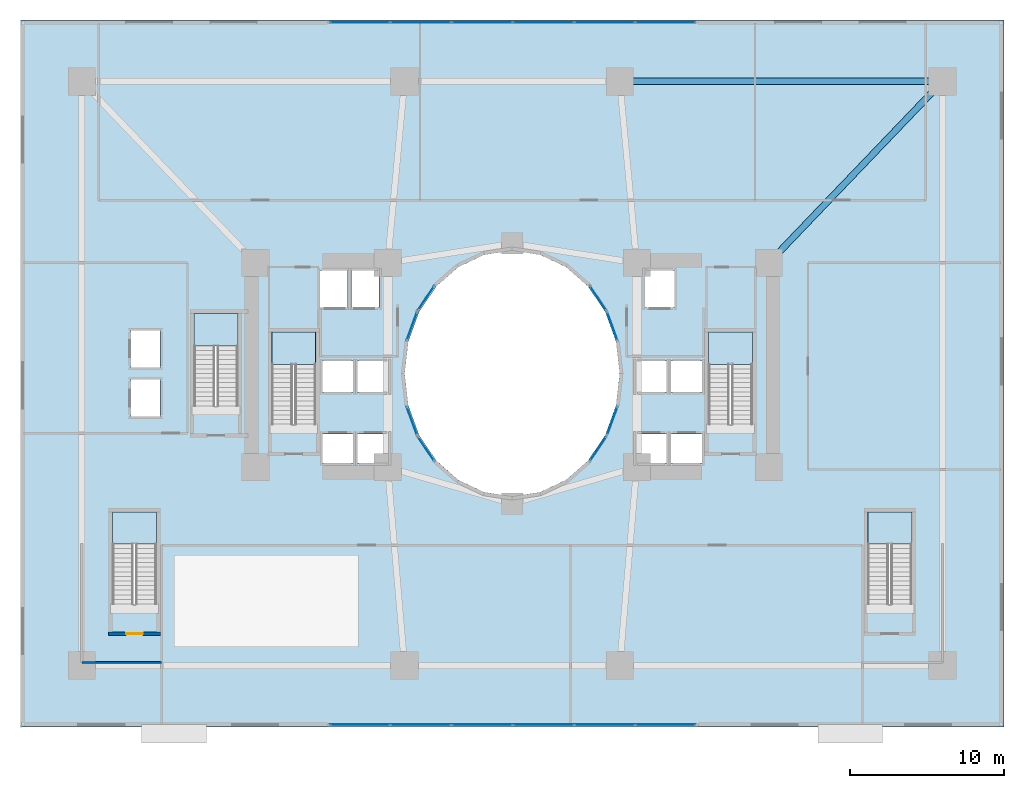
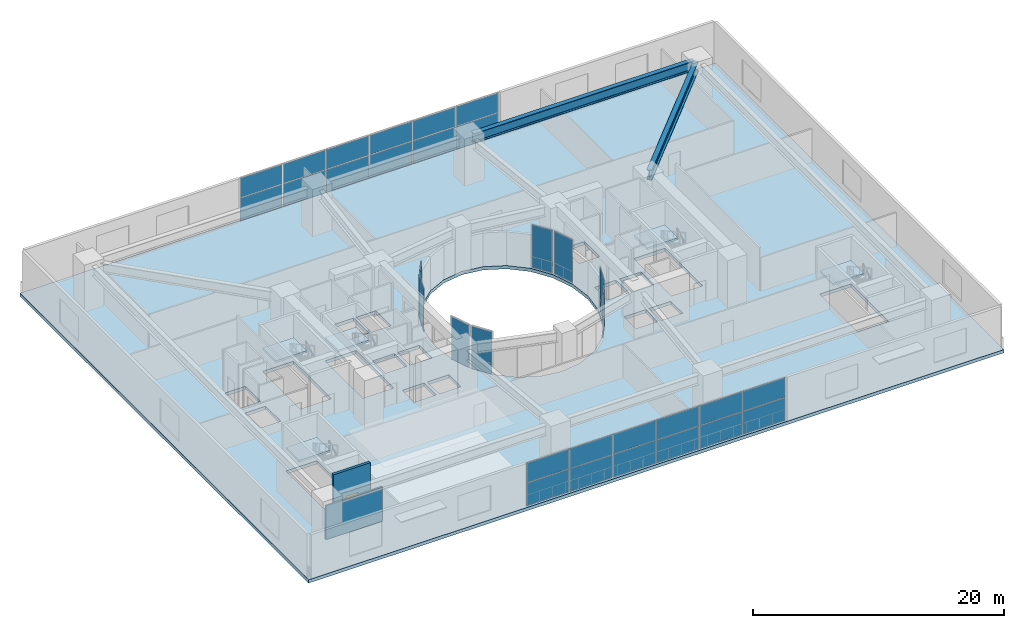
# One storey, part 14 of 25: 32 plates, 6 slabs, 2 beams, 2 walls, 1 door, 1 opening, 15 elements without a shape of their own.
"""IFC4 building model written with IfcOpenShell, lengths in metres."""

from ifc_helpers import new_model, si_unit, direction, frame, frame_2d, origin, origin_2d, place, context, subcontext, project, spatial, polyline, rectangle, i_section, outline, extrude, material, layer, layer_set, material_profile, profile_set, type_object, element, fill, aggregate, save


model = new_model("IFC4")

# Units and contexts
model_context = context("Model", 3, precision=1e-05, world=origin(), true_north=direction((0.0, 1.0)))
body_context = subcontext(model_context, "Body", "Model", "MODEL_VIEW")
ifc_project = project(units=[si_unit("LENGTHUNIT", "METRE"), si_unit("AREAUNIT", "SQUARE_METRE"), si_unit("VOLUMEUNIT", "CUBIC_METRE"), si_unit("PLANEANGLEUNIT", "RADIAN"), si_unit("MASSUNIT", "GRAM", prefix="KILO")], contexts=[model_context])

# Site, building, storey
site_placement = place(None, origin())
site = spatial("IfcSite", under=ifc_project, at=site_placement, CompositionType="ELEMENT")
building_placement = place(site_placement, origin())
building = spatial("IfcBuilding", under=site, at=building_placement, Name="Solvane Sanctuary Tower", CompositionType="ELEMENT")
storey_placement = place(building_placement, frame((0.0, 0.0, 4.60009765625)))
storey = spatial("IfcBuildingStorey", under=building, at=storey_placement, Name="L02", CompositionType="ELEMENT", Elevation=4.60009765625)

# Beams
ifc_material_1 = material(Name="Steel ASTM A913 Grade 65", Category="steel")
ifc_material_profile = material_profile(ifc_material_1, i_section(OverallWidth=0.423095703125, OverallDepth=0.947998046875, WebThickness=0.02392578125, FlangeThickness=0.042724609375, FilletRadius=0.02392578125, at=origin_2d()), Name="W36X302")
ifc_profile_set = profile_set([ifc_material_profile], Name="Steel ASTM A913 Grade 65")
beam_type = type_object("IfcBeamType", Name="Beam B-POD-GIRD W36X302", PredefinedType="BEAM", material=ifc_profile_set)
beam_1_placement = place(storey_placement, frame((59.64990234375, 42.0, 3.803955078125), z_axis=(-1.0, 0.0, 0.0), x_axis=(0.0, -1.0, 0.0)))
element("IfcBeam", 1, at=beam_1_placement, inside=storey, type_object=beam_type, Name="L02 Podium Primary Girder PG5", PredefinedType="BEAM", context=body_context, shape_type="SweptSolid", body=[
    extrude(i_section(OverallWidth=0.423095703125, OverallDepth=0.947998046875, WebThickness=0.02392578125, FlangeThickness=0.042724609375, FilletRadius=0.02392578125, at=origin_2d()), origin(), (0.0, 0.0, 1.0), 20.2998046875),
])
beam_2_placement = place(storey_placement, frame((59.7578125, 41.747314453125, 3.803955078125), z_axis=(-0.691633366234, -0.722248770654, 0.0), x_axis=(0.722248770654, -0.691633366234, 0.0)))
element("IfcBeam", 2, at=beam_2_placement, inside=storey, type_object=beam_type, Name="L02 Podium Primary Girder PG16", PredefinedType="BEAM", context=body_context, shape_type="SweptSolid", body=[
    extrude(i_section(OverallWidth=0.423095703125, OverallDepth=0.947998046875, WebThickness=0.02392578125, FlangeThickness=0.042724609375, FilletRadius=0.02392578125, at=origin_2d()), origin(), (0.0, 0.0, 1.0), 15.637939453125),
])

# Curtain wall, plates
ifc_material_2 = material(Name="Anodised Aluminium 6063-T6", Category="aluminium")
ifc_layer_1 = layer(ifc_material_2, 0.159912109375, Name="Anodised Aluminium 6063-T6")
ifc_layer_set_1 = layer_set([ifc_layer_1], Name="Anodised Aluminium 6063-T6")
curtain_wall_type_1 = type_object("IfcCurtainWallType", Name="Curtain Wall CW-POD", PredefinedType="NOTDEFINED", material=ifc_layer_set_1)
curtain_wall_1_placement = place(storey_placement, origin())
curtain_wall_1 = element("IfcCurtainWall", 3, at=curtain_wall_1_placement, inside=storey, type_object=curtain_wall_type_1, Name="L02 Sanctuary Curtain Wall S2", PredefinedType="NOTDEFINED")
ifc_material_3 = material(Name="Dark Ceramic-Fritted Low-E Glass", Category="glass")
ifc_layer_2 = layer(ifc_material_3, 0.031982421875, Name="Dark Ceramic-Fritted Low-E Glass")
ifc_layer_set_2 = layer_set([ifc_layer_2], Name="Dark Ceramic-Fritted Low-E Glass")
plate_type_1 = type_object("IfcPlateType", Name="Plate PN-FRIT-VIS", PredefinedType="CURTAIN_PANEL", material=ifc_layer_set_2)
plate_1_placement = place(storey_placement, frame((22.092041015625, 0.14990234375, 0.06494140625), z_axis=(0.0, 0.0, 1.0), x_axis=(1.0, 0.0, 0.0)))
plate_1 = element("IfcPlate", 4, at=plate_1_placement, type_object=plate_type_1, Name="CW-POD panel 1.1", PredefinedType="CURTAIN_PANEL", context=body_context, shape_type="SweptSolid", body=[
    extrude(rectangle(XDim=3.874267578125, YDim=0.031982421875, at=origin_2d()), origin(), (0.0, 0.0, 1.0), 2.202392578125),
])
plate_2_placement = place(storey_placement, frame((22.092041015625, 0.14990234375, 2.33251953125), z_axis=(0.0, 0.0, 1.0), x_axis=(1.0, 0.0, 0.0)))
plate_2 = element("IfcPlate", 5, at=plate_2_placement, type_object=plate_type_1, Name="CW-POD panel 1.2", PredefinedType="CURTAIN_PANEL", context=body_context, shape_type="SweptSolid", body=[
    extrude(rectangle(XDim=3.874267578125, YDim=0.031982421875, at=origin_2d()), origin(), (0.0, 0.0, 1.0), 1.882568359375),
])
plate_3_placement = place(storey_placement, frame((26.06005859375, 0.14990234375, 0.06494140625), z_axis=(0.0, 0.0, 1.0), x_axis=(1.0, 0.0, 0.0)))
plate_3 = element("IfcPlate", 6, at=plate_3_placement, type_object=plate_type_1, Name="CW-POD panel 2.1", PredefinedType="CURTAIN_PANEL", context=body_context, shape_type="SweptSolid", body=[
    extrude(rectangle(XDim=3.91162109375, YDim=0.031982421875, at=origin_2d()), origin(), (0.0, 0.0, 1.0), 2.202392578125),
])
plate_4_placement = place(storey_placement, frame((26.06005859375, 0.14990234375, 2.33251953125), z_axis=(0.0, 0.0, 1.0), x_axis=(1.0, 0.0, 0.0)))
plate_4 = element("IfcPlate", 7, at=plate_4_placement, type_object=plate_type_1, Name="CW-POD panel 2.2", PredefinedType="CURTAIN_PANEL", context=body_context, shape_type="SweptSolid", body=[
    extrude(rectangle(XDim=3.91162109375, YDim=0.031982421875, at=origin_2d()), origin(), (0.0, 0.0, 1.0), 1.882568359375),
])
plate_5_placement = place(storey_placement, frame((30.046630859375, 0.14990234375, 0.06494140625), z_axis=(0.0, 0.0, 1.0), x_axis=(1.0, 0.0, 0.0)))
plate_5 = element("IfcPlate", 8, at=plate_5_placement, type_object=plate_type_1, Name="CW-POD panel 3.1", PredefinedType="CURTAIN_PANEL", context=body_context, shape_type="SweptSolid", body=[
    extrude(rectangle(XDim=3.91162109375, YDim=0.031982421875, at=origin_2d()), origin(), (0.0, 0.0, 1.0), 2.202392578125),
])
plate_6_placement = place(storey_placement, frame((30.046630859375, 0.14990234375, 2.33251953125), z_axis=(0.0, 0.0, 1.0), x_axis=(1.0, 0.0, 0.0)))
plate_6 = element("IfcPlate", 9, at=plate_6_placement, type_object=plate_type_1, Name="CW-POD panel 3.2", PredefinedType="CURTAIN_PANEL", context=body_context, shape_type="SweptSolid", body=[
    extrude(rectangle(XDim=3.91162109375, YDim=0.031982421875, at=origin_2d()), origin(), (0.0, 0.0, 1.0), 1.882568359375),
])
plate_7_placement = place(storey_placement, frame((34.033447265625, 0.14990234375, 0.06494140625), z_axis=(0.0, 0.0, 1.0), x_axis=(1.0, 0.0, 0.0)))
plate_7 = element("IfcPlate", 10, at=plate_7_placement, type_object=plate_type_1, Name="CW-POD panel 4.1", PredefinedType="CURTAIN_PANEL", context=body_context, shape_type="SweptSolid", body=[
    extrude(rectangle(XDim=3.91162109375, YDim=0.031982421875, at=origin_2d()), origin(), (0.0, 0.0, 1.0), 2.202392578125),
])
plate_8_placement = place(storey_placement, frame((34.033447265625, 0.14990234375, 2.33251953125), z_axis=(0.0, 0.0, 1.0), x_axis=(1.0, 0.0, 0.0)))
plate_8 = element("IfcPlate", 11, at=plate_8_placement, type_object=plate_type_1, Name="CW-POD panel 4.2", PredefinedType="CURTAIN_PANEL", context=body_context, shape_type="SweptSolid", body=[
    extrude(rectangle(XDim=3.91162109375, YDim=0.031982421875, at=origin_2d()), origin(), (0.0, 0.0, 1.0), 1.882568359375),
])
plate_9_placement = place(storey_placement, frame((38.02001953125, 0.14990234375, 0.06494140625), z_axis=(0.0, 0.0, 1.0), x_axis=(1.0, 0.0, 0.0)))
plate_9 = element("IfcPlate", 12, at=plate_9_placement, type_object=plate_type_1, Name="CW-POD panel 5.1", PredefinedType="CURTAIN_PANEL", context=body_context, shape_type="SweptSolid", body=[
    extrude(rectangle(XDim=3.91162109375, YDim=0.031982421875, at=origin_2d()), origin(), (0.0, 0.0, 1.0), 2.202392578125),
])
plate_10_placement = place(storey_placement, frame((38.02001953125, 0.14990234375, 2.33251953125), z_axis=(0.0, 0.0, 1.0), x_axis=(1.0, 0.0, 0.0)))
plate_10 = element("IfcPlate", 13, at=plate_10_placement, type_object=plate_type_1, Name="CW-POD panel 5.2", PredefinedType="CURTAIN_PANEL", context=body_context, shape_type="SweptSolid", body=[
    extrude(rectangle(XDim=3.91162109375, YDim=0.031982421875, at=origin_2d()), origin(), (0.0, 0.0, 1.0), 1.882568359375),
])
plate_11_placement = place(storey_placement, frame((41.988037109375, 0.14990234375, 0.06494140625), z_axis=(0.0, 0.0, 1.0), x_axis=(1.0, 0.0, 0.0)))
plate_11 = element("IfcPlate", 14, at=plate_11_placement, type_object=plate_type_1, Name="CW-POD panel 6.1", PredefinedType="CURTAIN_PANEL", context=body_context, shape_type="SweptSolid", body=[
    extrude(rectangle(XDim=3.874267578125, YDim=0.031982421875, at=origin_2d()), origin(), (0.0, 0.0, 1.0), 2.202392578125),
])
plate_12_placement = place(storey_placement, frame((41.988037109375, 0.14990234375, 2.33251953125), z_axis=(0.0, 0.0, 1.0), x_axis=(1.0, 0.0, 0.0)))
plate_12 = element("IfcPlate", 15, at=plate_12_placement, type_object=plate_type_1, Name="CW-POD panel 6.2", PredefinedType="CURTAIN_PANEL", context=body_context, shape_type="SweptSolid", body=[
    extrude(rectangle(XDim=3.874267578125, YDim=0.031982421875, at=origin_2d()), origin(), (0.0, 0.0, 1.0), 1.882568359375),
])
aggregate(curtain_wall_1, [plate_1, plate_2, plate_3, plate_4, plate_5, plate_6, plate_7, plate_8, plate_9, plate_10, plate_11, plate_12])

curtain_wall_2_placement = place(storey_placement, origin())
curtain_wall_2 = element("IfcCurtainWall", 16, at=curtain_wall_2_placement, inside=storey, type_object=curtain_wall_type_1, Name="L02 Sanctuary Curtain Wall N2", PredefinedType="NOTDEFINED")
plate_13_placement = place(storey_placement, frame((41.988037109375, 45.85009765625, 0.06494140625), z_axis=(0.0, 0.0, 1.0), x_axis=(-1.0, 0.0, 0.0)))
plate_13 = element("IfcPlate", 17, at=plate_13_placement, type_object=plate_type_1, Name="CW-POD panel 1.1", PredefinedType="CURTAIN_PANEL", context=body_context, shape_type="SweptSolid", body=[
    extrude(rectangle(XDim=3.874267578125, YDim=0.031982421875, at=origin_2d()), origin(), (0.0, 0.0, 1.0), 2.202392578125),
])
plate_14_placement = place(storey_placement, frame((41.988037109375, 45.85009765625, 2.33251953125), z_axis=(0.0, 0.0, 1.0), x_axis=(-1.0, 0.0, 0.0)))
plate_14 = element("IfcPlate", 18, at=plate_14_placement, type_object=plate_type_1, Name="CW-POD panel 1.2", PredefinedType="CURTAIN_PANEL", context=body_context, shape_type="SweptSolid", body=[
    extrude(rectangle(XDim=3.874267578125, YDim=0.031982421875, at=origin_2d()), origin(), (0.0, 0.0, 1.0), 1.882568359375),
])
plate_15_placement = place(storey_placement, frame((38.02001953125, 45.85009765625, 0.06494140625), z_axis=(0.0, 0.0, 1.0), x_axis=(-1.0, 0.0, 0.0)))
plate_15 = element("IfcPlate", 19, at=plate_15_placement, type_object=plate_type_1, Name="CW-POD panel 2.1", PredefinedType="CURTAIN_PANEL", context=body_context, shape_type="SweptSolid", body=[
    extrude(rectangle(XDim=3.91162109375, YDim=0.031982421875, at=origin_2d()), origin(), (0.0, 0.0, 1.0), 2.202392578125),
])
plate_16_placement = place(storey_placement, frame((38.02001953125, 45.85009765625, 2.33251953125), z_axis=(0.0, 0.0, 1.0), x_axis=(-1.0, 0.0, 0.0)))
plate_16 = element("IfcPlate", 20, at=plate_16_placement, type_object=plate_type_1, Name="CW-POD panel 2.2", PredefinedType="CURTAIN_PANEL", context=body_context, shape_type="SweptSolid", body=[
    extrude(rectangle(XDim=3.91162109375, YDim=0.031982421875, at=origin_2d()), origin(), (0.0, 0.0, 1.0), 1.882568359375),
])
plate_17_placement = place(storey_placement, frame((34.033447265625, 45.85009765625, 0.06494140625), z_axis=(0.0, 0.0, 1.0), x_axis=(-1.0, 0.0, 0.0)))
plate_17 = element("IfcPlate", 21, at=plate_17_placement, type_object=plate_type_1, Name="CW-POD panel 3.1", PredefinedType="CURTAIN_PANEL", context=body_context, shape_type="SweptSolid", body=[
    extrude(rectangle(XDim=3.91162109375, YDim=0.031982421875, at=origin_2d()), origin(), (0.0, 0.0, 1.0), 2.202392578125),
])
plate_18_placement = place(storey_placement, frame((34.033447265625, 45.85009765625, 2.33251953125), z_axis=(0.0, 0.0, 1.0), x_axis=(-1.0, 0.0, 0.0)))
plate_18 = element("IfcPlate", 22, at=plate_18_placement, type_object=plate_type_1, Name="CW-POD panel 3.2", PredefinedType="CURTAIN_PANEL", context=body_context, shape_type="SweptSolid", body=[
    extrude(rectangle(XDim=3.91162109375, YDim=0.031982421875, at=origin_2d()), origin(), (0.0, 0.0, 1.0), 1.882568359375),
])
plate_19_placement = place(storey_placement, frame((30.046630859375, 45.85009765625, 0.06494140625), z_axis=(0.0, 0.0, 1.0), x_axis=(-1.0, 0.0, 0.0)))
plate_19 = element("IfcPlate", 23, at=plate_19_placement, type_object=plate_type_1, Name="CW-POD panel 4.1", PredefinedType="CURTAIN_PANEL", context=body_context, shape_type="SweptSolid", body=[
    extrude(rectangle(XDim=3.91162109375, YDim=0.031982421875, at=origin_2d()), origin(), (0.0, 0.0, 1.0), 2.202392578125),
])
plate_20_placement = place(storey_placement, frame((30.046630859375, 45.85009765625, 2.33251953125), z_axis=(0.0, 0.0, 1.0), x_axis=(-1.0, 0.0, 0.0)))
plate_20 = element("IfcPlate", 24, at=plate_20_placement, type_object=plate_type_1, Name="CW-POD panel 4.2", PredefinedType="CURTAIN_PANEL", context=body_context, shape_type="SweptSolid", body=[
    extrude(rectangle(XDim=3.91162109375, YDim=0.031982421875, at=origin_2d()), origin(), (0.0, 0.0, 1.0), 1.882568359375),
])
plate_21_placement = place(storey_placement, frame((26.06005859375, 45.85009765625, 0.06494140625), z_axis=(0.0, 0.0, 1.0), x_axis=(-1.0, 0.0, 0.0)))
plate_21 = element("IfcPlate", 25, at=plate_21_placement, type_object=plate_type_1, Name="CW-POD panel 5.1", PredefinedType="CURTAIN_PANEL", context=body_context, shape_type="SweptSolid", body=[
    extrude(rectangle(XDim=3.91162109375, YDim=0.031982421875, at=origin_2d()), origin(), (0.0, 0.0, 1.0), 2.202392578125),
])
plate_22_placement = place(storey_placement, frame((26.06005859375, 45.85009765625, 2.33251953125), z_axis=(0.0, 0.0, 1.0), x_axis=(-1.0, 0.0, 0.0)))
plate_22 = element("IfcPlate", 26, at=plate_22_placement, type_object=plate_type_1, Name="CW-POD panel 5.2", PredefinedType="CURTAIN_PANEL", context=body_context, shape_type="SweptSolid", body=[
    extrude(rectangle(XDim=3.91162109375, YDim=0.031982421875, at=origin_2d()), origin(), (0.0, 0.0, 1.0), 1.882568359375),
])
plate_23_placement = place(storey_placement, frame((22.092041015625, 45.85009765625, 0.06494140625), z_axis=(0.0, 0.0, 1.0), x_axis=(-1.0, 0.0, 0.0)))
plate_23 = element("IfcPlate", 27, at=plate_23_placement, type_object=plate_type_1, Name="CW-POD panel 6.1", PredefinedType="CURTAIN_PANEL", context=body_context, shape_type="SweptSolid", body=[
    extrude(rectangle(XDim=3.874267578125, YDim=0.031982421875, at=origin_2d()), origin(), (0.0, 0.0, 1.0), 2.202392578125),
])
plate_24_placement = place(storey_placement, frame((22.092041015625, 45.85009765625, 2.33251953125), z_axis=(0.0, 0.0, 1.0), x_axis=(-1.0, 0.0, 0.0)))
plate_24 = element("IfcPlate", 28, at=plate_24_placement, type_object=plate_type_1, Name="CW-POD panel 6.2", PredefinedType="CURTAIN_PANEL", context=body_context, shape_type="SweptSolid", body=[
    extrude(rectangle(XDim=3.874267578125, YDim=0.031982421875, at=origin_2d()), origin(), (0.0, 0.0, 1.0), 1.882568359375),
])
aggregate(curtain_wall_2, [plate_13, plate_14, plate_15, plate_16, plate_17, plate_18, plate_19, plate_20, plate_21, plate_22, plate_23, plate_24])

# Curtain wall, plate
ifc_layer_3 = layer(ifc_material_2, 0.199951171875, Name="Anodised Aluminium 6063-T6")
ifc_layer_set_3 = layer_set([ifc_layer_3], Name="Anodised Aluminium 6063-T6")
curtain_wall_type_2 = type_object("IfcCurtainWallType", Name="Curtain Wall CW-WELL", PredefinedType="NOTDEFINED", material=ifc_layer_set_3)
curtain_wall_3_placement = place(storey_placement, origin())
curtain_wall_3 = element("IfcCurtainWall", 29, at=curtain_wall_3_placement, inside=storey, type_object=curtain_wall_type_2, Name="L02 Light-Well Curtain Wall 01", PredefinedType="NOTDEFINED")
ifc_material_4 = material(Name="Clear Laminated Light-Well Glass", Category="glass")
ifc_layer_4 = layer(ifc_material_4, 0.02392578125, Name="Clear Laminated Light-Well Glass")
ifc_layer_set_4 = layer_set([ifc_layer_4], Name="Clear Laminated Light-Well Glass")
plate_type_2 = type_object("IfcPlateType", Name="Plate PN-WELL-GLZ", PredefinedType="CURTAIN_PANEL", material=ifc_layer_set_4)
plate_25_placement = place(storey_placement, frame((38.521728515625, 26.080810546875, 0.06494140625), z_axis=(0.0, 0.0, 1.0), x_axis=(-0.341346289067, 0.939937610132, 0.0)))
plate_25 = element("IfcPlate", 30, at=plate_25_placement, type_object=plate_type_2, Name="CW-WELL panel 1.1", PredefinedType="CURTAIN_PANEL", context=body_context, shape_type="SweptSolid", body=[
    extrude(rectangle(XDim=1.87353515625, YDim=0.02392578125, at=origin_2d()), origin(), (0.0, 0.0, 1.0), 4.14990234375),
])
aggregate(curtain_wall_3, [plate_25])

curtain_wall_4_placement = place(storey_placement, origin())
curtain_wall_4 = element("IfcCurtainWall", 31, at=curtain_wall_4_placement, inside=storey, type_object=curtain_wall_type_2, Name="L02 Light-Well Curtain Wall 02", PredefinedType="NOTDEFINED")
plate_26_placement = place(storey_placement, frame((37.600341796875, 27.90087890625, 0.06494140625), z_axis=(0.0, 0.0, 1.0), x_axis=(-0.558262839559, 0.829664150104, 0.0)))
plate_26 = element("IfcPlate", 32, at=plate_26_placement, type_object=plate_type_2, Name="CW-WELL panel 1.1", PredefinedType="CURTAIN_PANEL", context=body_context, shape_type="SweptSolid", body=[
    extrude(rectangle(XDim=1.81689453125, YDim=0.02392578125, at=origin_2d()), origin(), (0.0, 0.0, 1.0), 4.14990234375),
])
aggregate(curtain_wall_4, [plate_26])

curtain_wall_5_placement = place(storey_placement, origin())
curtain_wall_5 = element("IfcCurtainWall", 33, at=curtain_wall_5_placement, inside=storey, type_object=curtain_wall_type_2, Name="L02 Light-Well Curtain Wall 09", PredefinedType="NOTDEFINED")
plate_27_placement = place(storey_placement, frame((26.399658203125, 27.90087890625, 0.06494140625), z_axis=(0.0, 0.0, 1.0), x_axis=(-0.558262839559, -0.829664150104, 0.0)))
plate_27 = element("IfcPlate", 34, at=plate_27_placement, type_object=plate_type_2, Name="CW-WELL panel 1.1", PredefinedType="CURTAIN_PANEL", context=body_context, shape_type="SweptSolid", body=[
    extrude(rectangle(XDim=1.81689453125, YDim=0.02392578125, at=origin_2d()), origin(), (0.0, 0.0, 1.0), 4.14990234375),
])
aggregate(curtain_wall_5, [plate_27])

curtain_wall_6_placement = place(storey_placement, origin())
curtain_wall_6 = element("IfcCurtainWall", 35, at=curtain_wall_6_placement, inside=storey, type_object=curtain_wall_type_2, Name="L02 Light-Well Curtain Wall 10", PredefinedType="NOTDEFINED")
plate_28_placement = place(storey_placement, frame((25.478271484375, 26.080810546875, 0.06494140625), z_axis=(0.0, 0.0, 1.0), x_axis=(-0.341346289067, -0.939937610132, 0.0)))
plate_28 = element("IfcPlate", 36, at=plate_28_placement, type_object=plate_type_2, Name="CW-WELL panel 1.1", PredefinedType="CURTAIN_PANEL", context=body_context, shape_type="SweptSolid", body=[
    extrude(rectangle(XDim=1.87353515625, YDim=0.02392578125, at=origin_2d()), origin(), (0.0, 0.0, 1.0), 4.14990234375),
])
aggregate(curtain_wall_6, [plate_28])

curtain_wall_7_placement = place(storey_placement, origin())
curtain_wall_7 = element("IfcCurtainWall", 37, at=curtain_wall_7_placement, inside=storey, type_object=curtain_wall_type_2, Name="L02 Light-Well Curtain Wall 13", PredefinedType="NOTDEFINED")
plate_29_placement = place(storey_placement, frame((25.478271484375, 19.919189453125, 0.06494140625), z_axis=(0.0, 0.0, 1.0), x_axis=(0.341346289067, -0.939937610132, 0.0)))
plate_29 = element("IfcPlate", 38, at=plate_29_placement, type_object=plate_type_2, Name="CW-WELL panel 1.1", PredefinedType="CURTAIN_PANEL", context=body_context, shape_type="SweptSolid", body=[
    extrude(rectangle(XDim=1.87353515625, YDim=0.02392578125, at=origin_2d()), origin(), (0.0, 0.0, 1.0), 4.14990234375),
])
aggregate(curtain_wall_7, [plate_29])

curtain_wall_8_placement = place(storey_placement, origin())
curtain_wall_8 = element("IfcCurtainWall", 39, at=curtain_wall_8_placement, inside=storey, type_object=curtain_wall_type_2, Name="L02 Light-Well Curtain Wall 14", PredefinedType="NOTDEFINED")
plate_30_placement = place(storey_placement, frame((26.399658203125, 18.09912109375, 0.06494140625), z_axis=(0.0, 0.0, 1.0), x_axis=(0.558262839559, -0.829664150104, 0.0)))
plate_30 = element("IfcPlate", 40, at=plate_30_placement, type_object=plate_type_2, Name="CW-WELL panel 1.1", PredefinedType="CURTAIN_PANEL", context=body_context, shape_type="SweptSolid", body=[
    extrude(rectangle(XDim=1.81689453125, YDim=0.02392578125, at=origin_2d()), origin(), (0.0, 0.0, 1.0), 4.14990234375),
])
aggregate(curtain_wall_8, [plate_30])

curtain_wall_9_placement = place(storey_placement, origin())
curtain_wall_9 = element("IfcCurtainWall", 41, at=curtain_wall_9_placement, inside=storey, type_object=curtain_wall_type_2, Name="L02 Light-Well Curtain Wall 21", PredefinedType="NOTDEFINED")
plate_31_placement = place(storey_placement, frame((37.600341796875, 18.09912109375, 0.06494140625), z_axis=(0.0, 0.0, 1.0), x_axis=(0.558262839559, 0.829664150104, 0.0)))
plate_31 = element("IfcPlate", 42, at=plate_31_placement, type_object=plate_type_2, Name="CW-WELL panel 1.1", PredefinedType="CURTAIN_PANEL", context=body_context, shape_type="SweptSolid", body=[
    extrude(rectangle(XDim=1.81689453125, YDim=0.02392578125, at=origin_2d()), origin(), (0.0, 0.0, 1.0), 4.14990234375),
])
aggregate(curtain_wall_9, [plate_31])

curtain_wall_10_placement = place(storey_placement, origin())
curtain_wall_10 = element("IfcCurtainWall", 43, at=curtain_wall_10_placement, inside=storey, type_object=curtain_wall_type_2, Name="L02 Light-Well Curtain Wall 22", PredefinedType="NOTDEFINED")
plate_32_placement = place(storey_placement, frame((38.521728515625, 19.919189453125, 0.06494140625), z_axis=(0.0, 0.0, 1.0), x_axis=(0.341346289067, 0.939937610132, 0.0)))
plate_32 = element("IfcPlate", 44, at=plate_32_placement, type_object=plate_type_2, Name="CW-WELL panel 1.1", PredefinedType="CURTAIN_PANEL", context=body_context, shape_type="SweptSolid", body=[
    extrude(rectangle(XDim=1.87353515625, YDim=0.02392578125, at=origin_2d()), origin(), (0.0, 0.0, 1.0), 4.14990234375),
])
aggregate(curtain_wall_10, [plate_32])

# Stair, slab
ifc_material_5 = material(Name="Concrete C45/55", Category="concrete")
stair_type_1 = type_object("IfcStairType", Name="Stair ST-TOW", PredefinedType="HALF_TURN_STAIR", material=ifc_material_5)
stair_1_placement = place(storey_placement, origin())
stair_1 = element("IfcStair", 45, at=stair_1_placement, inside=storey, type_object=stair_type_1, Name="L02 Exit Stair ST-1 West Core", PredefinedType="HALF_TURN_STAIR")
ifc_layer_5 = layer(ifc_material_5, 0.199951171875, Name="Concrete C45/55")
ifc_layer_set_5 = layer_set([ifc_layer_5], Name="Concrete C45/55")
slab_type_1 = type_object("IfcSlabType", Name="Slab SL-LAND-180", PredefinedType="LANDING", material=ifc_layer_set_5)
slab_1_placement = place(storey_placement, frame((0.0, 0.0, 2.099853515625)))
slab_1 = element("IfcSlab", 46, at=slab_1_placement, type_object=slab_type_1, Name="ST-1 landing 1", PredefinedType="LANDING", context=body_context, shape_type="SweptSolid", body=[
    extrude(outline(polyline([(19.219970703125, 23.60009765625), (19.219970703125, 25.699951171875), (16.360107421875, 25.699951171875), (16.360107421875, 23.60009765625), (19.219970703125, 23.60009765625)])), origin(), (0.0, 0.0, 1.0), 0.199951171875),
])
aggregate(stair_1, [slab_1])

stair_2_placement = place(storey_placement, origin())
stair_2 = element("IfcStair", 47, at=stair_2_placement, inside=storey, type_object=stair_type_1, Name="L02 Exit Stair ST-2 East Core", PredefinedType="HALF_TURN_STAIR")
slab_2_placement = place(storey_placement, frame((0.0, 0.0, 2.099853515625)))
slab_2 = element("IfcSlab", 48, at=slab_2_placement, type_object=slab_type_1, Name="ST-2 landing 1", PredefinedType="LANDING", context=body_context, shape_type="SweptSolid", body=[
    extrude(outline(polyline([(47.639892578125, 23.60009765625), (47.639892578125, 25.699951171875), (44.780029296875, 25.699951171875), (44.780029296875, 23.60009765625), (47.639892578125, 23.60009765625)])), origin(), (0.0, 0.0, 1.0), 0.199951171875),
])
aggregate(stair_2, [slab_2])

stair_3_placement = place(storey_placement, origin())
stair_3 = element("IfcStair", 49, at=stair_3_placement, inside=storey, type_object=stair_type_1, Name="L02 Exit Stair ST-3 Pilgrim Tower Stair", PredefinedType="HALF_TURN_STAIR")
slab_3_placement = place(storey_placement, frame((0.0, 0.0, 2.099853515625)))
slab_3 = element("IfcSlab", 50, at=slab_3_placement, type_object=slab_type_1, Name="ST-3 landing 1", PredefinedType="LANDING", context=body_context, shape_type="SweptSolid", body=[
    extrude(outline(polyline([(14.159912109375, 24.800048828125), (14.159912109375, 26.89990234375), (11.300048828125, 26.89990234375), (11.300048828125, 24.800048828125), (14.159912109375, 24.800048828125)])), origin(), (0.0, 0.0, 1.0), 0.199951171875),
])
aggregate(stair_3, [slab_3])

ifc_material_6 = material(Name="Concrete C50/60", Category="concrete")
stair_type_2 = type_object("IfcStairType", Name="Stair ST-POD", PredefinedType="HALF_TURN_STAIR", material=ifc_material_6)
stair_4_placement = place(storey_placement, origin())
stair_4 = element("IfcStair", 51, at=stair_4_placement, inside=storey, type_object=stair_type_2, Name="L02 Exit Stair ST-4 Metro West Stair", PredefinedType="HALF_TURN_STAIR")
slab_4_placement = place(storey_placement, frame((0.0, 0.0, 2.099853515625)))
slab_4 = element("IfcSlab", 52, at=slab_4_placement, type_object=slab_type_1, Name="ST-4 landing 1", PredefinedType="LANDING", context=body_context, shape_type="SweptSolid", body=[
    extrude(outline(polyline([(8.860107421875, 11.89990234375), (8.860107421875, 14.0), (6.0, 14.0), (6.0, 11.89990234375), (8.860107421875, 11.89990234375)])), origin(), (0.0, 0.0, 1.0), 0.199951171875),
])
aggregate(stair_4, [slab_4])

stair_type_3 = type_object("IfcStairType", Name="Stair ST-METRO", PredefinedType="HALF_TURN_STAIR", material=ifc_material_6)
stair_5_placement = place(storey_placement, origin())
stair_5 = element("IfcStair", 53, at=stair_5_placement, inside=storey, type_object=stair_type_3, Name="L02 Exit Stair ST-5 Metro East Stair", PredefinedType="HALF_TURN_STAIR")
slab_5_placement = place(storey_placement, frame((0.0, 0.0, 2.099853515625)))
slab_5 = element("IfcSlab", 54, at=slab_5_placement, type_object=slab_type_1, Name="ST-5 landing 1", PredefinedType="LANDING", context=body_context, shape_type="SweptSolid", body=[
    extrude(outline(polyline([(58.0, 11.89990234375), (58.0, 14.0), (55.139892578125, 14.0), (55.139892578125, 11.89990234375), (58.0, 11.89990234375)])), origin(), (0.0, 0.0, 1.0), 0.199951171875),
])
aggregate(stair_5, [slab_5])

# Slab
ifc_layer_6 = layer(ifc_material_6, 0.320068359375, Name="Concrete C50/60")
ifc_layer_set_6 = layer_set([ifc_layer_6], Name="Concrete C50/60")
slab_type_2 = type_object("IfcSlabType", Name="Slab SL-POD-300", PredefinedType="FLOOR", material=ifc_layer_set_6)
slab_6_placement = place(storey_placement, frame((0.0, 0.0, -0.320068359375)))
element("IfcSlab", 55, at=slab_6_placement, inside=storey, type_object=slab_type_2, Name="L02 Primary Structural Slab", PredefinedType="FLOOR", context=body_context, shape_type="SweptSolid", body=[
    extrude(outline(polyline([(0.0, 0.0), (64.0, 0.0), (64.0, 46.0), (0.0, 46.0), (0.0, 0.0)]), holes=[polyline([(38.761474609375, 20.929443359375), (38.062255859375, 19.0), (36.94970703125, 17.343017578125), (35.5, 16.07177734375), (33.811767578125, 15.272705078125), (32.0, 15.0), (30.188232421875, 15.272705078125), (28.5, 16.07177734375), (27.05029296875, 17.343017578125), (25.937744140625, 19.0), (25.238525390625, 20.929443359375), (25.0, 23.0), (25.238525390625, 25.070556640625), (25.937744140625, 27.0), (27.05029296875, 28.656982421875), (28.5, 29.92822265625), (30.188232421875, 30.727294921875), (32.0, 31.0), (33.811767578125, 30.727294921875), (35.5, 29.92822265625), (36.94970703125, 28.656982421875), (38.062255859375, 27.0), (38.761474609375, 25.070556640625), (39.0, 23.0), (38.761474609375, 20.929443359375)]), polyline([(16.360107421875, 19.699951171875), (16.360107421875, 25.699951171875), (19.219970703125, 25.699951171875), (19.219970703125, 19.699951171875), (16.360107421875, 19.699951171875)]), polyline([(44.780029296875, 19.699951171875), (44.780029296875, 25.699951171875), (47.639892578125, 25.699951171875), (47.639892578125, 19.699951171875), (44.780029296875, 19.699951171875)]), polyline([(11.300048828125, 20.89990234375), (11.300048828125, 26.89990234375), (14.159912109375, 26.89990234375), (14.159912109375, 20.89990234375), (11.300048828125, 20.89990234375)]), polyline([(6.0, 8.0), (6.0, 14.0), (8.860107421875, 14.0), (8.860107421875, 8.0), (6.0, 8.0)]), polyline([(55.139892578125, 8.0), (55.139892578125, 14.0), (58.0, 14.0), (58.0, 8.0), (55.139892578125, 8.0)]), polyline([(19.64990234375, 19.080078125), (21.64990234375, 19.080078125), (21.64990234375, 17.179931640625), (19.64990234375, 17.179931640625), (19.64990234375, 19.080078125)]), polyline([(21.949951171875, 19.080078125), (23.949951171875, 19.080078125), (23.949951171875, 17.179931640625), (21.949951171875, 17.179931640625), (21.949951171875, 19.080078125)]), polyline([(40.050048828125, 19.080078125), (42.050048828125, 19.080078125), (42.050048828125, 17.179931640625), (40.050048828125, 17.179931640625), (40.050048828125, 19.080078125)]), polyline([(42.35009765625, 19.080078125), (44.35009765625, 19.080078125), (44.35009765625, 17.179931640625), (42.35009765625, 17.179931640625), (42.35009765625, 19.080078125)]), polyline([(19.64990234375, 23.800048828125), (21.64990234375, 23.800048828125), (21.64990234375, 21.800048828125), (19.64990234375, 21.800048828125), (19.64990234375, 23.800048828125)]), polyline([(42.35009765625, 23.800048828125), (44.35009765625, 23.800048828125), (44.35009765625, 21.800048828125), (42.35009765625, 21.800048828125), (42.35009765625, 23.800048828125)]), polyline([(21.949951171875, 23.800048828125), (23.949951171875, 23.800048828125), (23.949951171875, 21.800048828125), (21.949951171875, 21.800048828125), (21.949951171875, 23.800048828125)]), polyline([(40.050048828125, 23.800048828125), (42.050048828125, 23.800048828125), (42.050048828125, 21.800048828125), (40.050048828125, 21.800048828125), (40.050048828125, 23.800048828125)]), polyline([(19.5, 29.699951171875), (21.300048828125, 29.699951171875), (21.300048828125, 27.300048828125), (19.5, 27.300048828125), (19.5, 29.699951171875)]), polyline([(21.550048828125, 29.699951171875), (23.35009765625, 29.699951171875), (23.35009765625, 27.300048828125), (21.550048828125, 27.300048828125), (21.550048828125, 29.699951171875)]), polyline([(40.64990234375, 29.699951171875), (42.550048828125, 29.699951171875), (42.550048828125, 27.300048828125), (40.64990234375, 27.300048828125), (40.64990234375, 29.699951171875)]), polyline([(7.199951171875, 22.60009765625), (9.10009765625, 22.60009765625), (9.10009765625, 20.199951171875), (7.199951171875, 20.199951171875), (7.199951171875, 22.60009765625)]), polyline([(7.199951171875, 25.800048828125), (9.10009765625, 25.800048828125), (9.10009765625, 23.39990234375), (7.199951171875, 23.39990234375), (7.199951171875, 25.800048828125)])]), origin(), (0.0, 0.0, 1.0), 0.320068359375),
])

# Wall
ifc_material_7 = material(Name="Acoustic Gypsum Partition Board")
ifc_layer_7 = layer(ifc_material_7, 0.14990234375, Name="Acoustic Gypsum Partition Board")
ifc_layer_set_7 = layer_set([ifc_layer_7], Name="Acoustic Gypsum Partition Board")
wall_type_1 = type_object("IfcWallType", Name="Wall W-CORR-150", PredefinedType="PARTITIONING", material=ifc_layer_set_7)
wall_1_placement = place(storey_placement, frame((4.0, 4.199951171875, 0.0), z_axis=(0.0, 0.0, 1.0), x_axis=(1.0, 0.0, 0.0)))
element("IfcWall", 56, at=wall_1_placement, inside=storey, type_object=wall_type_1, Name="L02 ST-4 Lobby South Wall", PredefinedType="PARTITIONING", context=body_context, shape_type="SweptSolid", body=[
    extrude(rectangle(XDim=5.199951171875, YDim=0.14990234375, at=frame_2d((2.60009765625, 0.0))), origin(), (0.0, 0.0, 1.0), 3.2998046875),
])

# Wall, opening, door
ifc_layer_8 = layer(ifc_material_6, 0.25, Name="Concrete C50/60")
ifc_layer_set_8 = layer_set([ifc_layer_8], Name="Concrete C50/60")
wall_type_2 = type_object("IfcWallType", Name="Wall W-SHAFT-250", PredefinedType="SOLIDWALL", material=ifc_layer_set_8)
wall_2_placement = place(storey_placement, frame((5.7451171875, 6.070068359375, 0.0), z_axis=(0.0, 0.0, 1.0), x_axis=(1.0, 0.0, 0.0)))
wall_2 = element("IfcWall", 57, at=wall_2_placement, inside=storey, type_object=wall_type_2, Name="L02 ST-4 Load-Bearing Shaft Wall S", PredefinedType="SOLIDWALL", context=body_context, shape_type="SweptSolid", body=[
    extrude(rectangle(XDim=3.369873046875, YDim=0.25, at=frame_2d((1.68505859375, 0.0))), origin(), (0.0, 0.0, 1.0), 4.599853515625),
])
opening_placement = place(wall_2_placement, frame((1.135009765625, 0.0, 0.0)))
opening = element("IfcOpeningElement", 58, at=opening_placement, cuts=wall_2, Name="Opening D-L02-04", PredefinedType="OPENING", context=body_context, shape_type="SweptSolid", body=[
    extrude(rectangle(XDim=1.10009765625, YDim=2.10009765625, at=frame_2d((0.550048828125, 1.050048828125))), frame((0.0, 0.135009765625, 0.0), z_axis=(0.0, -1.0, 0.0), x_axis=(1.0, 0.0, 0.0)), (0.0, 0.0, 1.0), 0.27001953125),
])
ifc_material_8 = material(Name="Architectural Stainless Steel 316", Category="steel")
door_type = type_object("IfcDoorType", Name="Door D-STAIR", OperationType="NOTDEFINED", PredefinedType="DOOR", material=ifc_material_8)
door_placement = place(opening_placement, origin())
door = element("IfcDoor", 59, at=door_placement, inside=storey, type_object=door_type, Name="L02 ST-4 Exit Stair Fire Door", OperationType="SINGLE_SWING_LEFT", OverallHeight=2.10009765625, OverallWidth=1.10009765625, PredefinedType="DOOR", context=body_context, shape_type="SweptSolid", body=[
    extrude(rectangle(XDim=1.10009765625, YDim=2.10009765625, at=frame_2d((0.550048828125, 1.050048828125))), frame((0.0, 0.02490234375, 0.0), z_axis=(0.0, -1.0, 0.0), x_axis=(1.0, 0.0, 0.0)), (0.0, 0.0, 1.0), 0.050048828125),
])
fill(opening, door)

save(model, "model.ifc")
